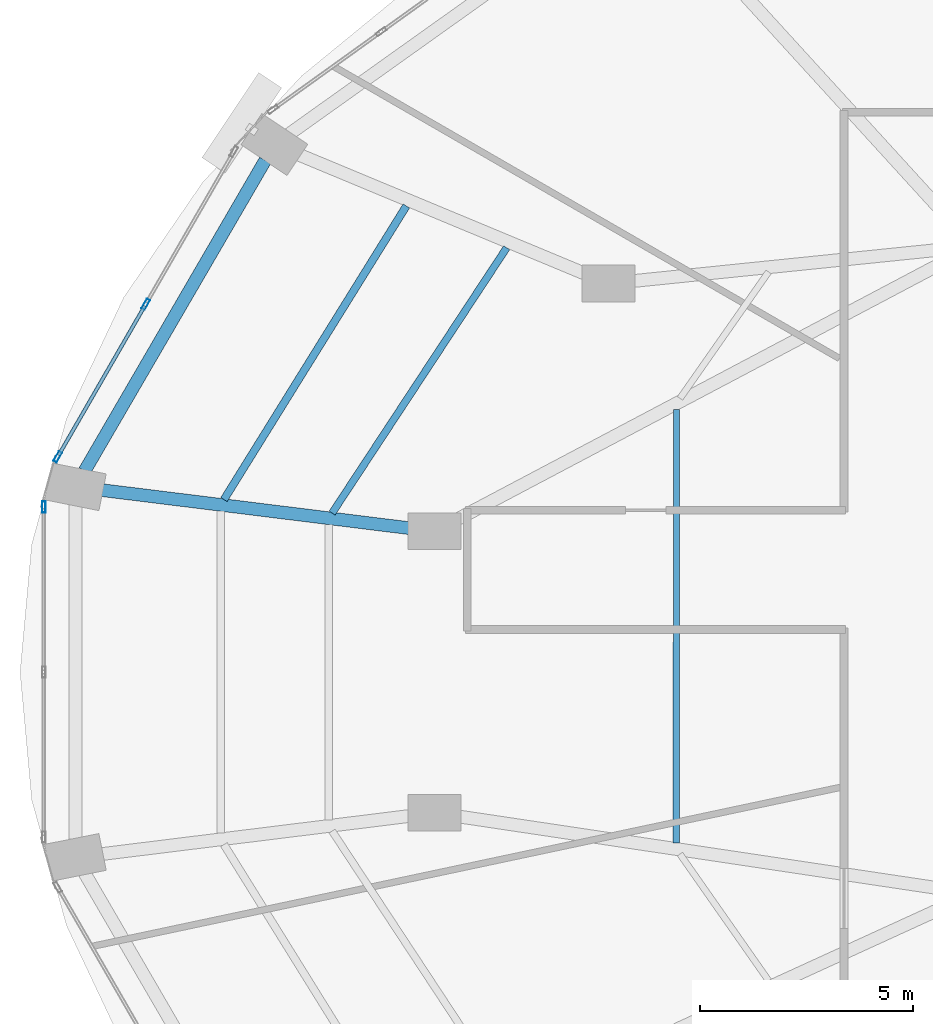
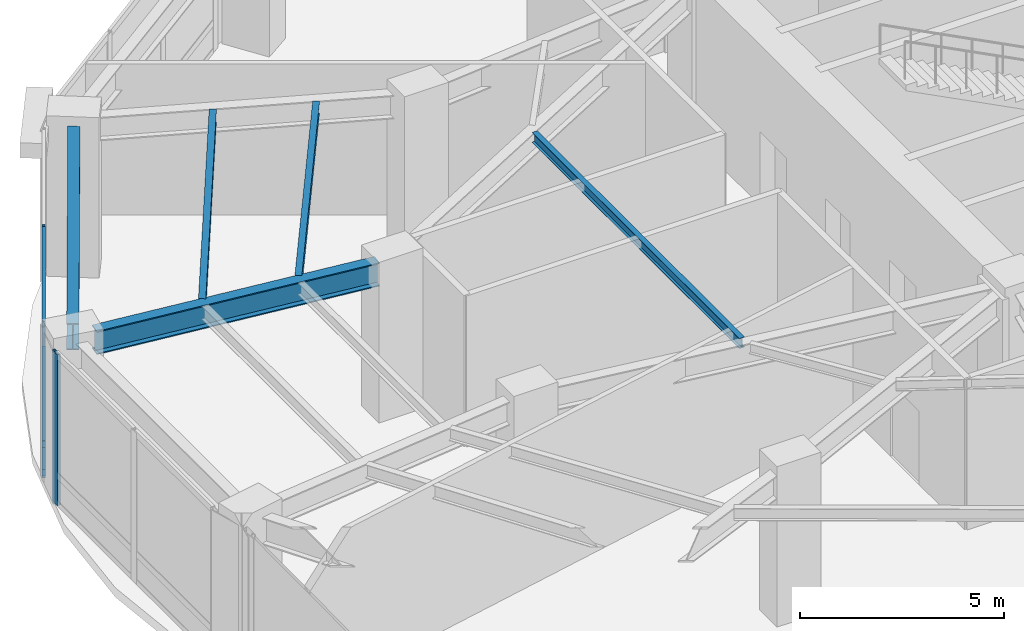
# One storey, part 8 of 24: 6 members, 5 beams, 2 elements without a shape of their own.
"""IFC4 building model written with IfcOpenShell, lengths in metres."""

from ifc_helpers import new_model, si_unit, direction, frame, origin, origin_2d, place, context, subcontext, project, spatial, hollow_rectangle, i_section, extrude, material, layer, layer_set, material_profile, profile_set, type_object, element, aggregate, save


model = new_model("IFC4")

# Units and contexts
model_context = context("Model", 3, precision=1e-05, world=origin(), true_north=direction((0.0, 1.0)))
body_context = subcontext(model_context, "Body", "Model", "MODEL_VIEW")
ifc_project = project(units=[si_unit("LENGTHUNIT", "METRE"), si_unit("AREAUNIT", "SQUARE_METRE"), si_unit("VOLUMEUNIT", "CUBIC_METRE"), si_unit("PLANEANGLEUNIT", "RADIAN"), si_unit("MASSUNIT", "GRAM", prefix="KILO")], contexts=[model_context])

# Site, building, storey
site_placement = place(None, origin())
site = spatial("IfcSite", under=ifc_project, at=site_placement, CompositionType="ELEMENT")
building_placement = place(site_placement, origin())
building = spatial("IfcBuilding", under=site, at=building_placement, Name="Lazwardi Medical Tower", CompositionType="ELEMENT")
storey_placement = place(building_placement, frame((0.0, 0.0, 10.800048828125)))
storey = spatial("IfcBuildingStorey", under=building, at=storey_placement, Name="L02", CompositionType="ELEMENT", Elevation=10.800048828125)

# Beams
ifc_material_1 = material(Name="Steel S355", Category="steel")
ifc_material_profile_1 = material_profile(ifc_material_1, i_section(OverallWidth=0.300048828125, OverallDepth=0.800048828125, WebThickness=0.017578125, FlangeThickness=0.032958984375, at=origin_2d()), Name="HEB 800")
ifc_profile_set_1 = profile_set([ifc_material_profile_1], Name="Steel S355")
beam_type_1 = type_object("IfcBeamType", Name="BM-RB-P1", PredefinedType="BEAM", material=ifc_profile_set_1)
beam_1_placement = place(storey_placement, frame((9.7587890625, 37.617431640625, 4.119873046875), z_axis=(-0.502605874383, -0.864515665003, 0.0), x_axis=(0.864515665003, -0.502605874383, 0.0)))
element("IfcBeam", 1, at=beam_1_placement, inside=storey, type_object=beam_type_1, Name="Ring beam RB-01 B11 L02", PredefinedType="BEAM", context=body_context, shape_type="SweptSolid", body=[
    extrude(i_section(OverallWidth=0.300048828125, OverallDepth=0.800048828125, WebThickness=0.017578125, FlangeThickness=0.032958984375, at=origin_2d()), origin(), (0.0, 0.0, 1.0), 8.4384765625),
])
ifc_material_profile_2 = material_profile(ifc_material_1, i_section(OverallWidth=0.300048828125, OverallDepth=0.699951171875, WebThickness=0.01708984375, FlangeThickness=0.031982421875, at=origin_2d()), Name="HEB 700")
ifc_profile_set_2 = profile_set([ifc_material_profile_2], Name="Steel S355")
beam_type_2 = type_object("IfcBeamType", Name="BM-RG-P1", PredefinedType="BEAM", material=ifc_profile_set_2)
beam_2_placement = place(storey_placement, frame((5.876953125, 29.879150390625, 4.169921875), z_axis=(0.992421549031, -0.122879896728, 0.0), x_axis=(0.122879896728, 0.992421549031, 0.0)))
element("IfcBeam", 2, at=beam_2_placement, inside=storey, type_object=beam_type_2, Name="Radial girder RG-01 R12A L02", PredefinedType="BEAM", context=body_context, shape_type="SweptSolid", body=[
    extrude(i_section(OverallWidth=0.300048828125, OverallDepth=0.699951171875, WebThickness=0.01708984375, FlangeThickness=0.031982421875, at=origin_2d()), origin(), (0.0, 0.0, 1.0), 7.52001953125),
])
ifc_material_profile_3 = material_profile(ifc_material_1, i_section(OverallWidth=0.179931640625, OverallDepth=0.39990234375, WebThickness=0.008544921875, FlangeThickness=0.013427734375, at=origin_2d()), Name="IPE 400")
ifc_profile_set_3 = profile_set([ifc_material_profile_3], Name="Steel S355")
beam_type_3 = type_object("IfcBeamType", Name="BM-SJ-01", PredefinedType="JOIST", material=ifc_profile_set_3)
beam_3_placement = place(storey_placement, frame((13.072509765625, 36.54541015625, 4.320068359375), z_axis=(-0.527696026634, -0.84943328371, 0.0), x_axis=(0.84943328371, -0.527696026634, 0.0)))
element("IfcBeam", 3, at=beam_3_placement, inside=storey, type_object=beam_type_3, Name="Secondary joist SJ-01 RO1 B11 L02", PredefinedType="JOIST", context=body_context, shape_type="SweptSolid", body=[
    extrude(i_section(OverallWidth=0.179931640625, OverallDepth=0.39990234375, WebThickness=0.008544921875, FlangeThickness=0.013427734375, at=origin_2d()), origin(), (0.0, 0.0, 1.0), 8.116455078125),
])
ifc_material_profile_4 = material_profile(ifc_material_1, i_section(OverallWidth=0.169921875, OverallDepth=0.360107421875, WebThickness=0.008056640625, FlangeThickness=0.0126953125, at=origin_2d()), Name="IPE 360")
ifc_profile_set_4 = profile_set([ifc_material_profile_4], Name="Steel S355")
beam_type_4 = type_object("IfcBeamType", Name="BM-SJ-02", PredefinedType="JOIST", material=ifc_profile_set_4)
beam_4_placement = place(storey_placement, frame((15.429931640625, 35.5654296875, 4.33984375), z_axis=(-0.549697059584, -0.835364077924, 0.0), x_axis=(0.835364077924, -0.549697059584, 0.0)))
element("IfcBeam", 4, at=beam_4_placement, inside=storey, type_object=beam_type_4, Name="Secondary joist SJ-02 RO2 B11 L02", PredefinedType="JOIST", context=body_context, shape_type="SweptSolid", body=[
    extrude(i_section(OverallWidth=0.169921875, OverallDepth=0.360107421875, WebThickness=0.008056640625, FlangeThickness=0.0126953125, at=origin_2d()), origin(), (0.0, 0.0, 1.0), 7.45849609375),
])
ifc_material_profile_5 = material_profile(ifc_material_1, i_section(OverallWidth=0.14990234375, OverallDepth=0.300048828125, WebThickness=0.007080078125, FlangeThickness=0.0107421875, at=origin_2d()), Name="IPE 300")
ifc_profile_set_5 = profile_set([ifc_material_profile_5], Name="Steel S355")
beam_type_5 = type_object("IfcBeamType", Name="BM-SJ-03", PredefinedType="JOIST", material=ifc_profile_set_5)
beam_5_placement = place(storey_placement, frame((19.4169921875, 31.763671875, 4.369873046875), z_axis=(-0.000215967168, -0.999999976679, 0.0), x_axis=(0.999999976679, -0.000215967168, 0.0)))
element("IfcBeam", 5, at=beam_5_placement, inside=storey, type_object=beam_type_5, Name="Secondary joist SJ-03 RI1 B12 L02", PredefinedType="JOIST", context=body_context, shape_type="SweptSolid", body=[
    extrude(i_section(OverallWidth=0.14990234375, OverallDepth=0.300048828125, WebThickness=0.007080078125, FlangeThickness=0.0107421875, at=origin_2d()), origin(), (0.0, 0.0, 1.0), 10.174072265625),
])

# Curtain wall, members
ifc_material_2 = material(Name="Anodised bronze aluminium and solar control glazing", Category="aluminium")
ifc_layer = layer(ifc_material_2, 0.219970703125)
ifc_layer_set = layer_set([ifc_layer], Name="Anodised bronze aluminium and solar control glazing")
curtain_wall_type = type_object("IfcCurtainWallType", Name="CW-SYS-01", PredefinedType="NOTDEFINED", material=ifc_layer_set)
curtain_wall_1_placement = place(storey_placement, origin())
curtain_wall_1 = element("IfcCurtainWall", 6, at=curtain_wall_1_placement, inside=storey, type_object=curtain_wall_type, Name="L02 Unitised bronze curtain wall CW-01", PredefinedType="NOTDEFINED")
ifc_material_3 = material(Name="Anodised bronze aluminium", Category="aluminium")
ifc_material_profile_6 = material_profile(ifc_material_3, hollow_rectangle(XDim=0.0849609375, YDim=0.260009765625, WallThickness=0.0048828125, at=origin_2d()), Name="ALU-MULLION 260x85x5")
ifc_profile_set_6 = profile_set([ifc_material_profile_6], Name="Anodised bronze aluminium")
member_type_1 = type_object("IfcMemberType", Name="CW-MUL-02", PredefinedType="MULLION", material=ifc_profile_set_6)
member_1_placement = place(storey_placement, frame((6.95361328125, 34.238037109375, 0.0), z_axis=(0.0, 0.0, 1.0), x_axis=(0.866180607783, -0.499731082384, 0.0)))
member_1 = element("IfcMember", 7, at=member_1_placement, type_object=member_type_1, Name="CW-01 mullion 2", PredefinedType="MULLION", context=body_context, shape_type="SweptSolid", body=[
    extrude(hollow_rectangle(XDim=0.0849609375, YDim=0.260009765625, WallThickness=0.0048828125, at=origin_2d()), origin(), (0.0, 0.0, 1.0), 4.52001953125),
])
member_2_placement = place(storey_placement, frame((4.8857421875, 30.654052734375, 0.0), z_axis=(0.0, 0.0, 1.0), x_axis=(0.866180607783, -0.499731082384, 0.0)))
member_2 = element("IfcMember", 8, at=member_2_placement, type_object=member_type_1, Name="CW-01 mullion 3", PredefinedType="MULLION", context=body_context, shape_type="SweptSolid", body=[
    extrude(hollow_rectangle(XDim=0.0849609375, YDim=0.260009765625, WallThickness=0.0048828125, at=origin_2d()), origin(), (0.0, 0.0, 1.0), 4.52001953125),
])

# Curtain wall, member
curtain_wall_2_placement = place(storey_placement, origin())
curtain_wall_2 = element("IfcCurtainWall", 9, at=curtain_wall_2_placement, inside=storey, type_object=curtain_wall_type, Name="L02 Unitised bronze curtain wall CW-01", PredefinedType="NOTDEFINED")
member_3_placement = place(storey_placement, frame((4.560302734375, 29.476806640625, 0.0), z_axis=(0.0, 0.0, 1.0), x_axis=(1.0, 0.0, 0.0)))
member_3 = element("IfcMember", 10, at=member_3_placement, type_object=member_type_1, Name="CW-01 mullion 1", PredefinedType="MULLION", context=body_context, shape_type="SweptSolid", body=[
    extrude(hollow_rectangle(XDim=0.0849609375, YDim=0.260009765625, WallThickness=0.0048828125, at=origin_2d()), origin(), (0.0, 0.0, 1.0), 4.52001953125),
])
aggregate(curtain_wall_2, [member_3])

# Member
ifc_material_profile_7 = material_profile(ifc_material_3, hollow_rectangle(XDim=0.0849609375, YDim=0.199951171875, WallThickness=0.00439453125, at=origin_2d()), Name="ALU-TRANSOM 200x85x4.5")
ifc_profile_set_7 = profile_set([ifc_material_profile_7], Name="Anodised bronze aluminium")
member_type_2 = type_object("IfcMemberType", Name="CW-TRN-02", PredefinedType="USERDEFINED", material=ifc_profile_set_7)
member_4_placement = place(storey_placement, frame((6.932373046875, 34.201171875, 0.04248046875), z_axis=(-0.499767651026, -0.866159508975, 0.0), x_axis=(0.866159508975, -0.499767651026, 0.0)))
member_4 = element("IfcMember", 11, at=member_4_placement, type_object=member_type_2, Name="CW-01 transom 2.1", ObjectType="TRANSOM", PredefinedType="USERDEFINED", context=body_context, shape_type="SweptSolid", body=[
    extrude(hollow_rectangle(XDim=0.0849609375, YDim=0.199951171875, WallThickness=0.00439453125, at=origin_2d()), origin(), (0.0, 0.0, 1.0), 4.052734375),
])

member_5_placement = place(storey_placement, frame((6.932373046875, 34.201171875, 0.89990234375), z_axis=(-0.499767651026, -0.866159508975, 0.0), x_axis=(0.866159508975, -0.499767651026, 0.0)))
member_5 = element("IfcMember", 12, at=member_5_placement, type_object=member_type_2, Name="CW-01 transom 2.2", ObjectType="TRANSOM", PredefinedType="USERDEFINED", context=body_context, shape_type="SweptSolid", body=[
    extrude(hollow_rectangle(XDim=0.0849609375, YDim=0.199951171875, WallThickness=0.00439453125, at=origin_2d()), origin(), (0.0, 0.0, 1.0), 4.052734375),
])

member_6_placement = place(storey_placement, frame((6.932373046875, 34.201171875, 4.4775390625), z_axis=(-0.499767651026, -0.866159508975, 0.0), x_axis=(0.866159508975, -0.499767651026, 0.0)))
member_6 = element("IfcMember", 13, at=member_6_placement, type_object=member_type_2, Name="CW-01 transom 2.3", ObjectType="TRANSOM", PredefinedType="USERDEFINED", context=body_context, shape_type="SweptSolid", body=[
    extrude(hollow_rectangle(XDim=0.0849609375, YDim=0.199951171875, WallThickness=0.00439453125, at=origin_2d()), origin(), (0.0, 0.0, 1.0), 4.052734375),
])

aggregate(curtain_wall_1, [member_1, member_2, member_4, member_5, member_6])

save(model, "model.ifc")
